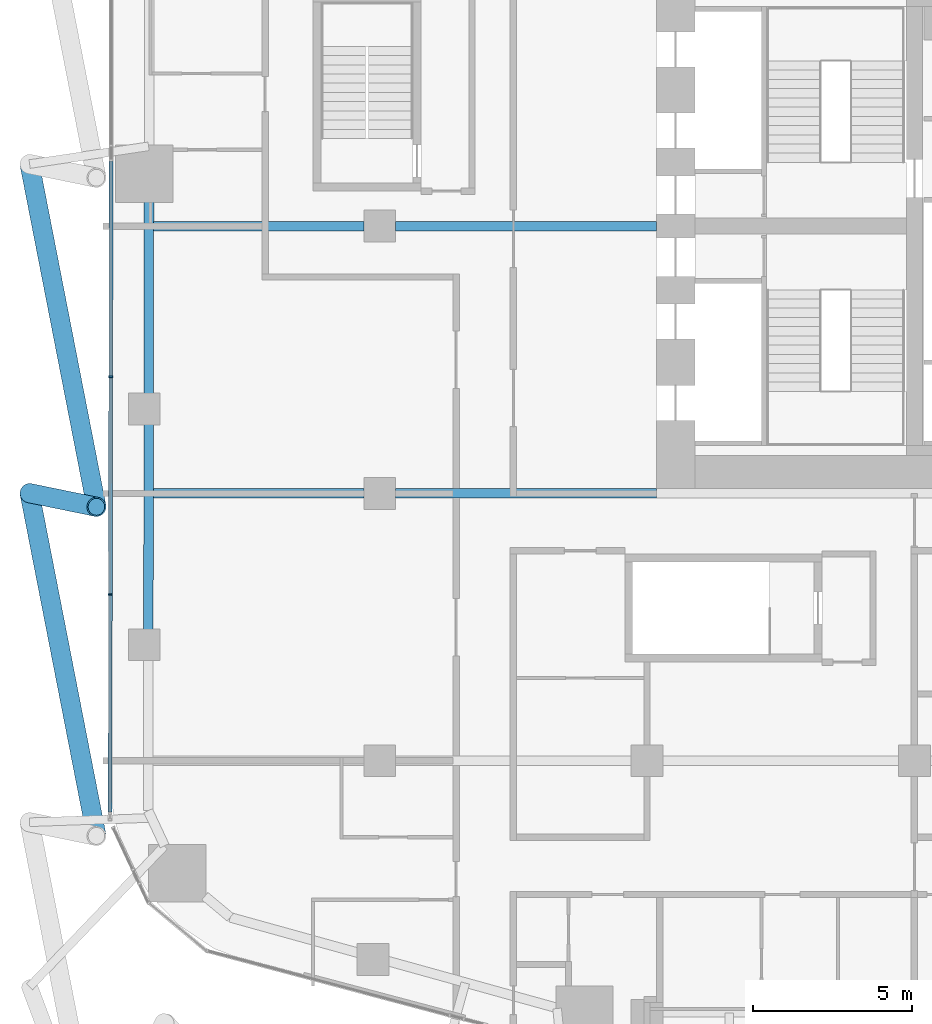
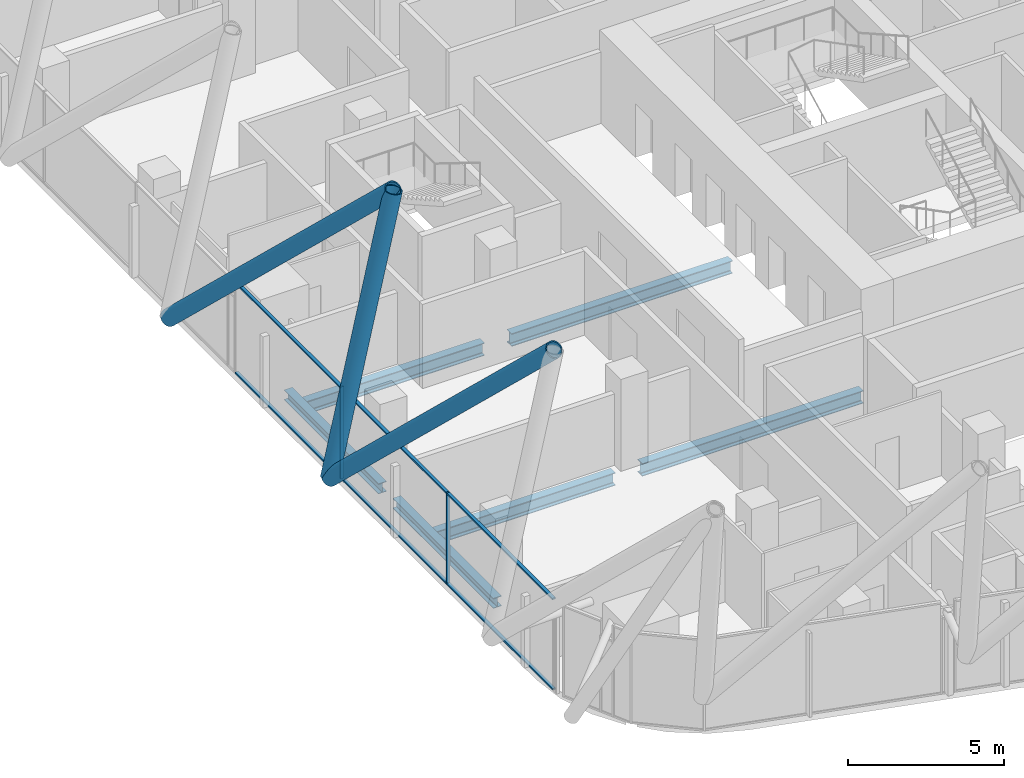
# One storey, part 4 of 36: 11 members, 6 beams, 1 element without a shape of its own.
"""IFC4 building model written with IfcOpenShell, lengths in metres."""

from ifc_helpers import new_model, si_unit, direction, frame, origin, origin_2d, place, context, subcontext, project, spatial, rectangle, hollow_circle, i_section, extrude, material, layer, layer_set, material_profile, profile_set, type_object, element, aggregate, save


model = new_model("IFC4")

# Units and contexts
model_context = context("Model", 3, precision=1e-05, world=origin(), true_north=direction((0.0, 1.0)))
body_context = subcontext(model_context, "Body", "Model", "MODEL_VIEW")
ifc_project = project(units=[si_unit("LENGTHUNIT", "METRE"), si_unit("AREAUNIT", "SQUARE_METRE"), si_unit("VOLUMEUNIT", "CUBIC_METRE"), si_unit("PLANEANGLEUNIT", "RADIAN"), si_unit("MASSUNIT", "GRAM", prefix="KILO")], contexts=[model_context])

# Site, building, storey
site_placement = place(None, origin())
site = spatial("IfcSite", under=ifc_project, at=site_placement, CompositionType="ELEMENT")
building_placement = place(site_placement, origin())
building = spatial("IfcBuilding", under=site, at=building_placement, Name="Marenta Gate Hotel Tower", CompositionType="ELEMENT")
storey_placement = place(building_placement, frame((0.0, 0.0, 83.300048828125)))
storey = spatial("IfcBuildingStorey", under=building, at=storey_placement, Name="L19", CompositionType="ELEMENT", Elevation=83.300048828125)

# Members
ifc_material_1 = material(Name="Steel S355J2W", Category="steel")
ifc_material_profile_1 = material_profile(ifc_material_1, hollow_circle(Radius=0.304931640625, WallThickness=0.0400390625, at=origin_2d()), Name="CHS 610x40")
ifc_profile_set_1 = profile_set([ifc_material_profile_1], Name="Steel S355J2W")
member_type_1 = type_object("IfcMemberType", Name="Diagrid diagonal T1 CHS 610x40", PredefinedType="BRACE", material=ifc_profile_set_1)
member_1_placement = place(storey_placement, frame((-32.0, 0.010009765625, 3.139892578125), z_axis=(0.136403114628, -0.69952185523, 0.701472283398), x_axis=(0.981514045442, 0.191390121478, 0.0)))
element("IfcMember", 1, at=member_1_placement, inside=storey, type_object=member_type_1, Name="L19-DG-27", PredefinedType="BRACE", context=body_context, shape_type="SweptSolid", body=[
    extrude(hollow_circle(Radius=0.304931640625, WallThickness=0.0400390625, at=origin_2d()), origin(), (0.0, 0.0, 1.0), 15.396240234375),
])
member_2_placement = place(storey_placement, frame((-32.0, 0.010009765625, 3.139892578125), z_axis=(0.190731650257, -0.039068724454, 0.980864451573), x_axis=(0.200669512824, 0.979658995071, 0.0)))
element("IfcMember", 2, at=member_2_placement, inside=storey, type_object=member_type_1, Name="L19-DG-28", PredefinedType="BRACE", context=body_context, shape_type="SweptSolid", body=[
    extrude(hollow_circle(Radius=0.304931640625, WallThickness=0.0400390625, at=origin_2d()), origin(), (0.0, 0.0, 1.0), 11.0107421875),
])
member_3_placement = place(storey_placement, frame((-32.0, 10.349853515625, 3.139892578125), z_axis=(0.136403114628, -0.69952185523, 0.701472283398), x_axis=(0.981514045442, 0.191390121478, 0.0)))
element("IfcMember", 3, at=member_3_placement, inside=storey, type_object=member_type_1, Name="L19-DG-29", PredefinedType="BRACE", context=body_context, shape_type="SweptSolid", body=[
    extrude(hollow_circle(Radius=0.304931640625, WallThickness=0.0400390625, at=origin_2d()), origin(), (0.0, 0.0, 1.0), 15.396240234375),
])

# Beams
ifc_material_2 = material(Name="Steel S355", Category="steel")
ifc_material_profile_2 = material_profile(ifc_material_2, i_section(OverallWidth=0.300048828125, OverallDepth=0.39990234375, WebThickness=0.013427734375, FlangeThickness=0.02392578125, FilletRadius=0.027099609375, at=origin_2d()), Name="HEB 400")
ifc_profile_set_2 = profile_set([ifc_material_profile_2], Name="Steel S355")
beam_type_1 = type_object("IfcBeamType", Name="Edge beam HEB 400", PredefinedType="SPANDREL", material=ifc_profile_set_2)
beam_1_placement = place(storey_placement, frame((-28.267333984375, -4.2919921875, -0.4599609375), z_axis=(0.001393753119, 0.999999028726, 0.0), x_axis=(-0.999999028726, 0.001393753119, 0.0)))
element("IfcBeam", 4, at=beam_1_placement, inside=storey, type_object=beam_type_1, Name="L19-EB-6", PredefinedType="SPANDREL", context=body_context, shape_type="SweptSolid", body=[
    extrude(i_section(OverallWidth=0.300048828125, OverallDepth=0.39990234375, WebThickness=0.013427734375, FlangeThickness=0.02392578125, FilletRadius=0.027099609375, at=origin_2d()), origin(), (0.0, 0.0, 1.0), 6.481201171875),
])
beam_2_placement = place(storey_placement, frame((-28.257080078125, 3.109130859375, -0.4599609375), z_axis=(0.001405226059, 0.999999012669, 0.0), x_axis=(-0.999999012669, 0.001405226059, 0.0)))
element("IfcBeam", 5, at=beam_2_placement, inside=storey, type_object=beam_type_1, Name="L19-EB-7", PredefinedType="SPANDREL", context=body_context, shape_type="SweptSolid", body=[
    extrude(i_section(OverallWidth=0.300048828125, OverallDepth=0.39990234375, WebThickness=0.013427734375, FlangeThickness=0.02392578125, FilletRadius=0.027099609375, at=origin_2d()), origin(), (0.0, 0.0, 1.0), 6.080810546875),
])
ifc_material_3 = material(Name="Steel S355", Category="steel")
ifc_material_profile_3 = material_profile(ifc_material_3, i_section(OverallWidth=0.300048828125, OverallDepth=0.5, WebThickness=0.014404296875, FlangeThickness=0.028076171875, FilletRadius=0.027099609375, at=origin_2d()), Name="HEB 500")
ifc_profile_set_3 = profile_set([ifc_material_profile_3], Name="Steel S355")
beam_type_2 = type_object("IfcBeamType", Name="Girder HEB 500", PredefinedType="BEAM", material=ifc_profile_set_3)
beam_3_placement = place(storey_placement, frame((-28.111328125, 0.0, -0.510009765625), z_axis=(1.0, 0.0, 0.0), x_axis=(0.0, 1.0, 0.0)))
element("IfcBeam", 6, at=beam_3_placement, inside=storey, type_object=beam_type_2, Name="L19-GD-8", PredefinedType="BEAM", context=body_context, shape_type="SweptSolid", body=[
    extrude(i_section(OverallWidth=0.300048828125, OverallDepth=0.5, WebThickness=0.014404296875, FlangeThickness=0.028076171875, FilletRadius=0.027099609375, at=origin_2d()), origin(), (0.0, 0.0, 1.0), 6.611328125),
])
beam_4_placement = place(storey_placement, frame((-20.5, 0.0, -0.510009765625), z_axis=(1.0, 0.0, 0.0), x_axis=(0.0, 1.0, 0.0)))
element("IfcBeam", 7, at=beam_4_placement, inside=storey, type_object=beam_type_2, Name="L19-GD-9", PredefinedType="BEAM", context=body_context, shape_type="SweptSolid", body=[
    extrude(i_section(OverallWidth=0.300048828125, OverallDepth=0.5, WebThickness=0.014404296875, FlangeThickness=0.028076171875, FilletRadius=0.027099609375, at=origin_2d()), origin(), (0.0, 0.0, 1.0), 8.199951171875),
])
beam_5_placement = place(storey_placement, frame((-28.099609375, 8.39990234375, -0.510009765625), z_axis=(1.0, 0.0, 0.0), x_axis=(0.0, 1.0, 0.0)))
element("IfcBeam", 8, at=beam_5_placement, inside=storey, type_object=beam_type_2, Name="L19-GD-13", PredefinedType="BEAM", context=body_context, shape_type="SweptSolid", body=[
    extrude(i_section(OverallWidth=0.300048828125, OverallDepth=0.5, WebThickness=0.014404296875, FlangeThickness=0.028076171875, FilletRadius=0.027099609375, at=origin_2d()), origin(), (0.0, 0.0, 1.0), 6.599609375),
])
beam_6_placement = place(storey_placement, frame((-20.5, 8.39990234375, -0.510009765625), z_axis=(1.0, 0.0, 0.0), x_axis=(0.0, 1.0, 0.0)))
element("IfcBeam", 9, at=beam_6_placement, inside=storey, type_object=beam_type_2, Name="L19-GD-14", PredefinedType="BEAM", context=body_context, shape_type="SweptSolid", body=[
    extrude(i_section(OverallWidth=0.300048828125, OverallDepth=0.5, WebThickness=0.014404296875, FlangeThickness=0.028076171875, FilletRadius=0.027099609375, at=origin_2d()), origin(), (0.0, 0.0, 1.0), 8.199951171875),
])

# Curtain wall, members
ifc_material_4 = material(Name="Tinted insulated glass in bronze anodised frame", Category="glass")
ifc_layer = layer(ifc_material_4, 0.1201171875)
ifc_layer_set = layer_set([ifc_layer], Name="Tinted insulated glass in bronze anodised frame")
curtain_wall_type = type_object("IfcCurtainWallType", Name="Tower unitised curtain wall CW1", PredefinedType="NOTDEFINED", material=ifc_layer_set)
curtain_wall_placement = place(storey_placement, origin())
curtain_wall = element("IfcCurtainWall", 10, at=curtain_wall_placement, inside=storey, type_object=curtain_wall_type, Name="CW1 run G08", PredefinedType="NOTDEFINED")
ifc_material_5 = material(Name="Bronze anodised aluminium", Category="aluminium")
ifc_material_profile_4 = material_profile(ifc_material_5, rectangle(XDim=0.1201171875, YDim=0.06005859375, at=origin_2d()), Name="Mullion CW1 60x120 bronze anodised aluminium")
ifc_profile_set_4 = profile_set([ifc_material_profile_4], Name="Bronze anodised aluminium")
member_type_2 = type_object("IfcMemberType", Name="Mullion CW1 60x120 bronze anodised aluminium", PredefinedType="MULLION", material=ifc_profile_set_4)
member_4_placement = place(storey_placement, frame((-29.451416015625, 3.6640625, 0.0), z_axis=(0.0, 0.0, 1.0), x_axis=(0.999998775989, -0.00156461532, 0.0)))
member_4 = element("IfcMember", 11, at=member_4_placement, type_object=member_type_2, Name="CW1 mullion 2", PredefinedType="MULLION", context=body_context, shape_type="SweptSolid", body=[
    extrude(rectangle(XDim=0.1201171875, YDim=0.06005859375, at=origin_2d()), origin(), (0.0, 0.0, 1.0), 3.599853515625),
])
member_5_placement = place(storey_placement, frame((-29.462158203125, -3.174560546875, 0.0), z_axis=(0.0, 0.0, 1.0), x_axis=(0.999998775989, -0.00156461532, 0.0)))
member_5 = element("IfcMember", 12, at=member_5_placement, type_object=member_type_2, Name="CW1 mullion 3", PredefinedType="MULLION", context=body_context, shape_type="SweptSolid", body=[
    extrude(rectangle(XDim=0.1201171875, YDim=0.06005859375, at=origin_2d()), origin(), (0.0, 0.0, 1.0), 3.599853515625),
])
ifc_material_6 = material(Name="Bronze anodised aluminium", Category="aluminium")
ifc_material_profile_5 = material_profile(ifc_material_6, rectangle(XDim=0.1201171875, YDim=0.06005859375, at=origin_2d()), Name="Transom CW1 60x120 bronze anodised aluminium")
ifc_profile_set_5 = profile_set([ifc_material_profile_5], Name="Bronze anodised aluminium")
member_type_3 = type_object("IfcMemberType", Name="Transom CW1 60x120 bronze anodised aluminium", PredefinedType="USERDEFINED", material=ifc_profile_set_5)
member_6_placement = place(storey_placement, frame((-29.44091796875, 10.44287109375, 0.030029296875), z_axis=(-0.001555545635, -0.999998790138, 0.0), x_axis=(0.999998790138, -0.001555545635, 0.0)))
member_6 = element("IfcMember", 13, at=member_6_placement, type_object=member_type_3, Name="CW1 transom 1.1", ObjectType="TRANSOM", PredefinedType="USERDEFINED", context=body_context, shape_type="SweptSolid", body=[
    extrude(rectangle(XDim=0.1201171875, YDim=0.06005859375, at=origin_2d()), origin(), (0.0, 0.0, 1.0), 6.748779296875),
])
member_7_placement = place(storey_placement, frame((-29.44091796875, 10.44287109375, 3.570068359375), z_axis=(-0.001555545635, -0.999998790138, 0.0), x_axis=(0.999998790138, -0.001555545635, 0.0)))
member_7 = element("IfcMember", 14, at=member_7_placement, type_object=member_type_3, Name="CW1 transom 1.2", ObjectType="TRANSOM", PredefinedType="USERDEFINED", context=body_context, shape_type="SweptSolid", body=[
    extrude(rectangle(XDim=0.1201171875, YDim=0.06005859375, at=origin_2d()), origin(), (0.0, 0.0, 1.0), 6.748779296875),
])
member_8_placement = place(storey_placement, frame((-29.45166015625, 3.634033203125, 0.030029296875), z_axis=(-0.001548654773, -0.999998800833, 0.0), x_axis=(0.999998800833, -0.001548654773, 0.0)))
member_8 = element("IfcMember", 15, at=member_8_placement, type_object=member_type_3, Name="CW1 transom 2.1", ObjectType="TRANSOM", PredefinedType="USERDEFINED", context=body_context, shape_type="SweptSolid", body=[
    extrude(rectangle(XDim=0.1201171875, YDim=0.06005859375, at=origin_2d()), origin(), (0.0, 0.0, 1.0), 6.77880859375),
])
member_9_placement = place(storey_placement, frame((-29.45166015625, 3.634033203125, 3.570068359375), z_axis=(-0.001548654773, -0.999998800833, 0.0), x_axis=(0.999998800833, -0.001548654773, 0.0)))
member_9 = element("IfcMember", 16, at=member_9_placement, type_object=member_type_3, Name="CW1 transom 2.2", ObjectType="TRANSOM", PredefinedType="USERDEFINED", context=body_context, shape_type="SweptSolid", body=[
    extrude(rectangle(XDim=0.1201171875, YDim=0.06005859375, at=origin_2d()), origin(), (0.0, 0.0, 1.0), 6.77880859375),
])
member_10_placement = place(storey_placement, frame((-29.462158203125, -3.20458984375, 0.030029296875), z_axis=(-0.001577680994, -0.999998755461, 0.0), x_axis=(0.999998755461, -0.001577680994, 0.0)))
member_10 = element("IfcMember", 17, at=member_10_placement, type_object=member_type_3, Name="CW1 transom 3.1", ObjectType="TRANSOM", PredefinedType="USERDEFINED", context=body_context, shape_type="SweptSolid", body=[
    extrude(rectangle(XDim=0.1201171875, YDim=0.06005859375, at=origin_2d()), origin(), (0.0, 0.0, 1.0), 6.808837890625),
])
member_11_placement = place(storey_placement, frame((-29.462158203125, -3.20458984375, 3.570068359375), z_axis=(-0.001577680994, -0.999998755461, 0.0), x_axis=(0.999998755461, -0.001577680994, 0.0)))
member_11 = element("IfcMember", 18, at=member_11_placement, type_object=member_type_3, Name="CW1 transom 3.2", ObjectType="TRANSOM", PredefinedType="USERDEFINED", context=body_context, shape_type="SweptSolid", body=[
    extrude(rectangle(XDim=0.1201171875, YDim=0.06005859375, at=origin_2d()), origin(), (0.0, 0.0, 1.0), 6.808837890625),
])
aggregate(curtain_wall, [member_4, member_5, member_6, member_7, member_8, member_9, member_10, member_11])

save(model, "model.ifc")
